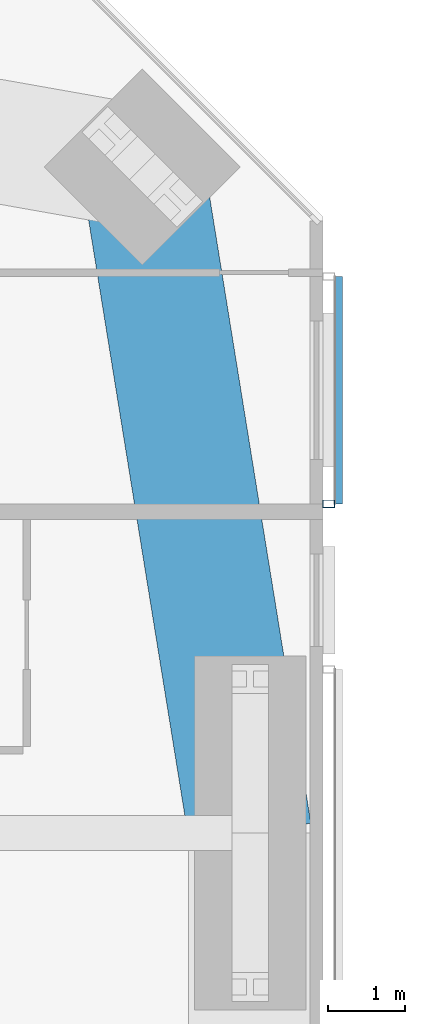
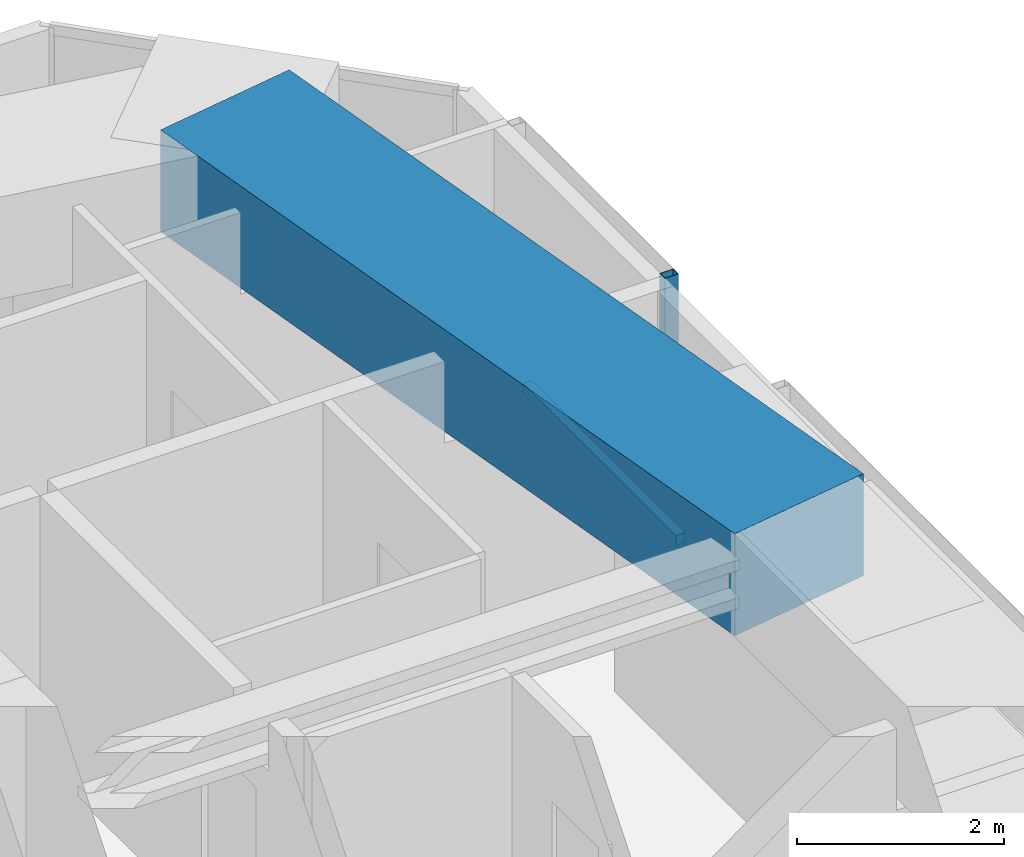
# One storey, part 9 of 23: 2 members, 1 beam, 1 element without a shape of its own.
"""IFC4 building model written with IfcOpenShell, lengths in metres."""

from ifc_helpers import new_model, si_unit, direction, frame, origin, origin_2d, place, context, subcontext, project, spatial, rectangle, hollow_rectangle, extrude, material, material_profile, profile_set, type_object, element, aggregate, save


model = new_model("IFC4")

# Units and contexts
model_context = context("Model", 3, precision=1e-05, world=origin(), true_north=direction((0.0, 1.0)))
body_context = subcontext(model_context, "Body", "Model", "MODEL_VIEW")
ifc_project = project(units=[si_unit("LENGTHUNIT", "METRE"), si_unit("AREAUNIT", "SQUARE_METRE"), si_unit("VOLUMEUNIT", "CUBIC_METRE"), si_unit("PLANEANGLEUNIT", "RADIAN"), si_unit("MASSUNIT", "GRAM", prefix="KILO")], contexts=[model_context])

# Site, building, storey
site_placement = place(None, origin())
site = spatial("IfcSite", under=ifc_project, at=site_placement, CompositionType="ELEMENT")
building_placement = place(site_placement, origin())
building = spatial("IfcBuilding", under=site, at=building_placement, Name="Jalousie Tower", CompositionType="ELEMENT")
storey_placement = place(building_placement, frame((0.0, 0.0, 164.39990234375)))
storey = spatial("IfcBuildingStorey", under=building, at=storey_placement, Name="L44", CompositionType="ELEMENT", Elevation=164.39990234375)

# Beam
ifc_material_1 = material(Name="Concrete f'c 40 MPa", Category="concrete")
ifc_material_profile_1 = material_profile(ifc_material_1, rectangle(XDim=1.60009765625, YDim=1.199951171875, at=origin_2d()), Name="RC 1600x1200")
ifc_profile_set_1 = profile_set([ifc_material_profile_1], Name="Concrete f'c 40 MPa")
beam_type = type_object("IfcBeamType", Name="RC BEAM 1600x1200", PredefinedType="BEAM", material=ifc_profile_set_1)
beam_placement = place(storey_placement, frame((52.050048828125, 25.0, 2.75), z_axis=(-0.159567878256, 0.987186959106, 0.0), x_axis=(-0.987186959106, -0.159567878256, 0.0)))
element("IfcBeam", 1, at=beam_placement, inside=storey, type_object=beam_type, Name="Edge band beam 07-08 under L45", PredefinedType="BEAM", context=body_context, shape_type="SweptSolid", body=[
    extrude(rectangle(XDim=1.60009765625, YDim=1.199951171875, at=origin_2d()), origin(), (0.0, 0.0, 1.0), 8.763916015625),
])

# Curtain wall, members
ifc_material_2 = material(Name="Perforated aluminium sheet", Category="aluminium")
curtain_wall_type = type_object("IfcCurtainWallType", Name="SOLAR SCREEN SS-1", PredefinedType="USERDEFINED", material=ifc_material_2)
curtain_wall_placement = place(storey_placement, origin())
curtain_wall = element("IfcCurtainWall", 2, at=curtain_wall_placement, inside=storey, type_object=curtain_wall_type, Name="Solar screen L44", ObjectType="SOLAR SCREEN SS-1", PredefinedType="USERDEFINED")
ifc_material_3 = material(Name="Steel ASTM A500 Grade C", Category="steel")
ifc_material_profile_2 = material_profile(ifc_material_3, hollow_rectangle(XDim=0.1015625, YDim=0.15234375, WallThickness=0.00634765625, at=origin_2d()), Name="HSS6X4X1/4")
ifc_profile_set_2 = profile_set([ifc_material_profile_2], Name="Steel ASTM A500 Grade C")
member_type_1 = type_object("IfcMemberType", Name="SOLAR SCREEN SS-1 MULLION", PredefinedType="MULLION", material=ifc_profile_set_2)
member_1_placement = place(storey_placement, frame((53.0712890625, 29.27490234375, -0.119873046875), z_axis=(0.0, 0.0, 1.0), x_axis=(0.0, 1.0, 0.0)))
member_1 = element("IfcMember", 3, at=member_1_placement, type_object=member_type_1, Name="SS1 post 1", PredefinedType="MULLION", context=body_context, shape_type="SweptSolid", body=[
    extrude(hollow_rectangle(XDim=0.1015625, YDim=0.15234375, WallThickness=0.00634765625, at=origin_2d()), origin(), (0.0, 0.0, 1.0), 3.22998046875),
])
ifc_material_4 = material(Name="Extruded aluminium screen rail", Category="aluminium")
ifc_material_profile_3 = material_profile(ifc_material_4, rectangle(XDim=0.1015625, YDim=0.1201171875, at=origin_2d()), Name="RAIL 102x120")
ifc_profile_set_3 = profile_set([ifc_material_profile_3], Name="Extruded aluminium screen rail")
member_type_2 = type_object("IfcMemberType", Name="SOLAR SCREEN SS-1 TRANSOM", PredefinedType="USERDEFINED", material=ifc_profile_set_3)
member_2_placement = place(storey_placement, frame((53.1982421875, 29.27490234375, -0.059814453125), z_axis=(0.0, 1.0, 0.0), x_axis=(-1.0, 0.0, 0.0)))
member_2 = element("IfcMember", 4, at=member_2_placement, type_object=member_type_2, Name="SS1 rail", ObjectType="TRANSOM", PredefinedType="USERDEFINED", context=body_context, shape_type="SweptSolid", body=[
    extrude(rectangle(XDim=0.1015625, YDim=0.1201171875, at=origin_2d()), origin(), (0.0, 0.0, 1.0), 2.953857421875),
])
aggregate(curtain_wall, [member_1, member_2])

save(model, "model.ifc")
